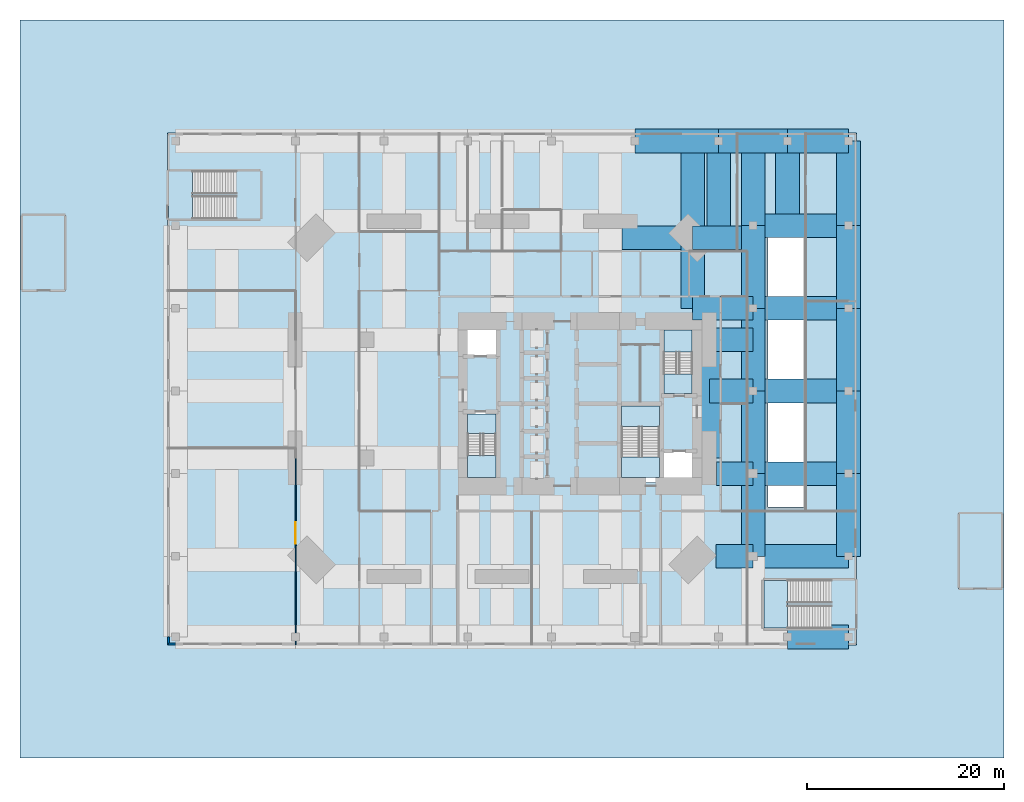
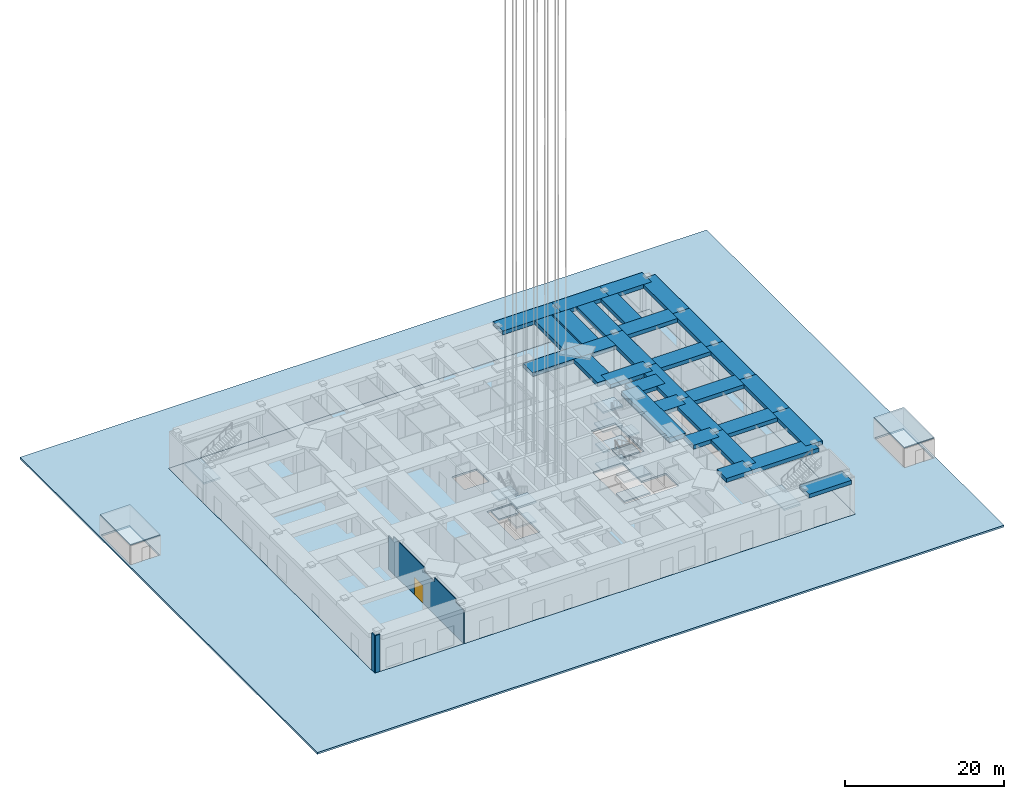
# One storey, part 2 of 17: 31 beams, 18 slabs, 3 walls, 1 door, 1 opening, 5 elements without a shape of their own.
"""IFC4 building model written with IfcOpenShell, lengths in metres."""

import ifcopenshell
import ifcopenshell.guid

model = None  # the IFC model being written
_history = None  # IfcOwnerHistory: only IFC2X3 demands one
_inside = {}  # id of a spatial element -> (the spatial element, [elements in it])
_under = {}  # id of a project, library or spatial element -> (it, [spatial elements below it])
_declared = {}  # id of a project -> (the project, [libraries it declares])
_typed = {}  # id of a type object -> (the type object, [elements of that type])
_made_of = {}  # id of a material, layer set ... -> (it, [elements and type objects made of it])


def new_model(schema):
    """Start an empty IFC model of exactly this schema.

    Asked for "IFC4X3", IfcOpenShell would pick the latest addendum, in which some entities
    have other attributes; the version numbers below select the first issue.
    IFC2X3 requires an IfcOwnerHistory on every rooted entity: one is made here for all.
    """
    global model, _history
    if schema == "IFC4X3":
        model = ifcopenshell.file(schema_version=(4, 3, 0, 0))
    else:
        model = ifcopenshell.file(schema=schema)
    _inside.clear()
    _under.clear()
    _declared.clear()
    _typed.clear()
    _made_of.clear()
    _history = None
    if model.schema == "IFC2X3":
        org = make("IfcOrganization", Name="unknown")
        user = make(
            "IfcPersonAndOrganization",
            ThePerson=make("IfcPerson", FamilyName="unknown"),
            TheOrganization=org,
        )
        app = make(
            "IfcApplication",
            ApplicationDeveloper=org,
            Version="unknown",
            ApplicationFullName="unknown",
            ApplicationIdentifier="unknown",
        )
        _history = make(
            "IfcOwnerHistory",
            OwningUser=user,
            OwningApplication=app,
            ChangeAction="ADDED",
            CreationDate=0,
        )
    return model


def make(cls, **values):
    """One entity of the class cls with the attributes given. An attribute that is None is left unset."""
    return model.create_entity(
        cls, **{name: value for name, value in values.items() if value is not None}
    )


def rooted(cls, **values):
    """An entity with a GlobalId (a new one), such as an element, a storey or a relation."""
    return make(cls, GlobalId=ifcopenshell.guid.new(), OwnerHistory=_history, **values)


def si_unit(unit_type, name, prefix=None):
    """IfcSIUnit, for example si_unit("LENGTHUNIT", "METRE", prefix="MILLI")."""
    return make("IfcSIUnit", UnitType=unit_type, Prefix=prefix, Name=name)


def assignment(units):
    """IfcUnitAssignment: the units of a project."""
    return None if units is None else make("IfcUnitAssignment", Units=units)


def point(xyz):
    """IfcCartesianPoint."""
    return None if xyz is None else make("IfcCartesianPoint", Coordinates=xyz)


def direction(xyz):
    """IfcDirection."""
    return None if xyz is None else make("IfcDirection", DirectionRatios=xyz)


def frame(location, z_axis=None, x_axis=None):
    """IfcAxis2Placement3D, a coordinate frame: its origin and axes. An axis left out is left unset."""
    return make(
        "IfcAxis2Placement3D",
        Location=point(location),
        Axis=direction(z_axis),
        RefDirection=direction(x_axis),
    )


def frame_2d(location, x_axis=None):
    """IfcAxis2Placement2D, a coordinate frame in the plane: its origin and x axis."""
    return make(
        "IfcAxis2Placement2D", Location=point(location), RefDirection=direction(x_axis)
    )


def origin():
    """The frame at (0, 0, 0) with its axes left unset."""
    return frame((0.0, 0.0, 0.0))


def origin_2d():
    """The frame at (0, 0) in the plane with its x axis left unset."""
    return frame_2d((0.0, 0.0))


def place(relative_to, where):
    """IfcLocalPlacement: puts the frame where relative to a parent placement (None: the world)."""
    return make(
        "IfcLocalPlacement", PlacementRelTo=relative_to, RelativePlacement=where
    )


def context(
    kind, dimensions, precision=None, world=None, true_north=None, identifier=None
):
    """IfcGeometricRepresentationContext, for example the 3D "Model" context."""
    return make(
        "IfcGeometricRepresentationContext",
        ContextIdentifier=identifier,
        ContextType=kind,
        CoordinateSpaceDimension=dimensions,
        Precision=precision,
        WorldCoordinateSystem=world,
        TrueNorth=true_north,
    )


def subcontext(parent, identifier, kind, view, scale=None):
    """IfcGeometricRepresentationSubContext, for example "Body" below "Model"."""
    return make(
        "IfcGeometricRepresentationSubContext",
        ContextIdentifier=identifier,
        ContextType=kind,
        ParentContext=parent,
        TargetScale=scale,
        TargetView=view,
    )


def project(units=None, contexts=None):
    """IfcProject with its units and contexts."""
    return rooted(
        "IfcProject",
        Name="project",
        RepresentationContexts=contexts,
        UnitsInContext=assignment(units),
    )


def spatial(cls, under=None, at=None, **own):
    """A site, building, storey or space (cls), placed at a placement, below another one or the project."""
    s = rooted(cls, ObjectPlacement=at, **own)
    if under is not None:
        _under.setdefault(under.id(), (under, []))[1].append(s)
    return s


def polyline(points):
    """IfcPolyline through the points."""
    return make("IfcPolyline", Points=[point(p) for p in points])


def profile(cls, at=None, kind="AREA", **sizes):
    """A parametric profile (cls). Its sizes go by their IFC names, for example OverallWidth=200.0."""
    return make(cls, ProfileType=kind, Position=at, **sizes)


def rectangle(**sizes):
    """IfcRectangleProfileDef."""
    return profile("IfcRectangleProfileDef", **sizes)


def outline(outer, holes=None, kind="AREA"):
    """IfcArbitraryClosedProfileDef: a profile drawn as a closed curve; with holes, ...WithVoids."""
    if holes is None:
        return make("IfcArbitraryClosedProfileDef", ProfileType=kind, OuterCurve=outer)
    return make(
        "IfcArbitraryProfileDefWithVoids",
        ProfileType=kind,
        OuterCurve=outer,
        InnerCurves=holes,
    )


def extrude(swept, where, along, depth):
    """IfcExtrudedAreaSolid: the profile swept, set in the frame where, extruded along a direction by depth."""
    return make(
        "IfcExtrudedAreaSolid",
        SweptArea=swept,
        Position=where,
        ExtrudedDirection=direction(along),
        Depth=depth,
    )


def shape(context_of_items, identifier, shape_type, items):
    """IfcShapeRepresentation: the items that make up one representation, for example the "Body"."""
    return make(
        "IfcShapeRepresentation",
        ContextOfItems=context_of_items,
        RepresentationIdentifier=identifier,
        RepresentationType=shape_type,
        Items=items,
    )


def material(Name=None, Category=None):
    """IfcMaterial."""
    return make("IfcMaterial", Name=Name, Category=Category)


def layer(
    of_material, thickness, ventilated=None, Name=None, Category=None, Priority=None
):
    """IfcMaterialLayer: one layer of a wall or slab, of a material (None: an air gap)."""
    return make(
        "IfcMaterialLayer",
        Material=of_material,
        LayerThickness=thickness,
        IsVentilated=ventilated,
        Name=Name,
        Category=Category,
        Priority=Priority,
    )


def layer_set(layers, Name=None):
    """IfcMaterialLayerSet."""
    return make("IfcMaterialLayerSet", MaterialLayers=layers, LayerSetName=Name)


def constituent(of_material, Name=None, Category=None, fraction=None):
    """IfcMaterialConstituent: one of the materials an element consists of."""
    return make(
        "IfcMaterialConstituent",
        Name=Name,
        Material=of_material,
        Fraction=fraction,
        Category=Category,
    )


def constituent_set(constituents=None, Name=None):
    """IfcMaterialConstituentSet."""
    return make(
        "IfcMaterialConstituentSet", Name=Name, MaterialConstituents=constituents
    )


def material_profile(
    of_material, cross_section, Name=None, Category=None, Priority=None
):
    """IfcMaterialProfile: a cross section and its material."""
    return make(
        "IfcMaterialProfile",
        Name=Name,
        Material=of_material,
        Profile=cross_section,
        Priority=Priority,
        Category=Category,
    )


def profile_set(profiles, Name=None, composite=None):
    """IfcMaterialProfileSet."""
    return make(
        "IfcMaterialProfileSet",
        Name=Name,
        MaterialProfiles=profiles,
        CompositeProfile=composite,
    )


def made_of(thing, what):
    """Note that an element or type object is made of a material, layer set ...; save() writes the relation."""
    if what is not None:
        _made_of.setdefault(what.id(), (what, []))[1].append(thing)
    return thing


def type_object(cls, material=None, **own):
    """A type object (cls), such as IfcWallType, which elements share."""
    return made_of(rooted(cls, **own), material)


def element(
    cls,
    number,
    at=None,
    inside=None,
    cuts=None,
    type_object=None,
    material=None,
    context=None,
    identifier="Body",
    shape_type=None,
    held_by="IfcProductDefinitionShape",
    body=None,
    shapes=None,
    **own,
):
    """One element of the class cls, such as IfcWall. Its Tag is "e" and its number.

    at: its placement. inside: the storey or other place that contains it. cuts: it is an
    opening in that element (IfcRelVoidsElement). A single representation is given by context,
    identifier, shape_type and body (its items); several are given by shapes. held_by: the class
    of the entity that holds the representations. save() writes the other relations.
    """
    e = rooted(cls, Tag="e%d" % number, ObjectPlacement=at, **own)
    if body is not None:
        shapes = [shape(context, identifier, shape_type, body)]
    if shapes is not None:
        e.Representation = make(held_by, Representations=shapes)
    if inside is not None:
        _inside.setdefault(inside.id(), (inside, []))[1].append(e)
    if cuts is not None:
        rooted(
            "IfcRelVoidsElement", RelatingBuildingElement=cuts, RelatedOpeningElement=e
        )
    if type_object is not None:
        _typed.setdefault(type_object.id(), (type_object, []))[1].append(e)
    return made_of(e, material)


def fill(opening, filler):
    """IfcRelFillsElement: the door or window that sits in an opening."""
    return rooted(
        "IfcRelFillsElement",
        RelatingOpeningElement=opening,
        RelatedBuildingElement=filler,
    )


def aggregate(whole, parts):
    """IfcRelAggregates: a whole, such as a stair, and the parts it consists of."""
    return rooted("IfcRelAggregates", RelatingObject=whole, RelatedObjects=parts)


def save(model, path):
    """Write the relations noted so far, then the file.

    IfcRelAggregates (storeys below a building ...), IfcRelContainedInSpatialStructure (elements
    in a storey), IfcRelDefinesByType, IfcRelAssociatesMaterial and IfcRelDeclares: one each for
    every whole, place, type object, material and project.
    """
    for whole, parts in _under.values():
        aggregate(whole, parts)
    for where, things in _inside.values():
        rooted(
            "IfcRelContainedInSpatialStructure",
            RelatedElements=things,
            RelatingStructure=where,
        )
    for kind, things in _typed.values():
        rooted("IfcRelDefinesByType", RelatedObjects=things, RelatingType=kind)
    for what, things in _made_of.values():
        rooted("IfcRelAssociatesMaterial", RelatedObjects=things, RelatingMaterial=what)
    for by, libraries in _declared.values():
        rooted("IfcRelDeclares", RelatingContext=by, RelatedDefinitions=libraries)
    model.write(path)


model = new_model("IFC4")

# Units and contexts
model_context = context("Model", 3, precision=1e-05, world=origin(), true_north=direction((0.0, 1.0)))
body_context = subcontext(model_context, "Body", "Model", "MODEL_VIEW")
ifc_project = project(units=[si_unit("LENGTHUNIT", "METRE"), si_unit("AREAUNIT", "SQUARE_METRE"), si_unit("VOLUMEUNIT", "CUBIC_METRE"), si_unit("PLANEANGLEUNIT", "RADIAN"), si_unit("MASSUNIT", "GRAM", prefix="KILO")], contexts=[model_context])

# Site, building, storey
site_placement = place(None, origin())
site = spatial("IfcSite", under=ifc_project, at=site_placement, CompositionType="ELEMENT")
building_placement = place(site_placement, origin())
building = spatial("IfcBuilding", under=site, at=building_placement, Name="Jalousie Tower", CompositionType="ELEMENT")
storey_placement = place(building_placement, origin())
storey = spatial("IfcBuildingStorey", under=building, at=storey_placement, Name="L00", CompositionType="ELEMENT", Elevation=0.0)

# Beams
ifc_material_1 = material(Name="Concrete f'c 40 MPa", Category="concrete")
ifc_material_profile_1 = material_profile(ifc_material_1, rectangle(XDim=2.39990234375, YDim=0.60009765625, at=origin_2d()), Name="RC 2400x600")
ifc_profile_set_1 = profile_set([ifc_material_profile_1], Name="Concrete f'c 40 MPa")
beam_type_1 = type_object("IfcBeamType", Name="RC BEAM 2400x600", PredefinedType="BEAM", material=ifc_profile_set_1)
beam_1_placement = place(storey_placement, frame((37.5, 45.199951171875, 5.419921875), z_axis=(1.0, 0.0, 0.0), x_axis=(0.0, 1.0, 0.0)))
element("IfcBeam", 1, at=beam_1_placement, inside=storey, type_object=beam_type_1, Name="Floor band beam under L01", PredefinedType="BEAM", context=body_context, shape_type="SweptSolid", body=[
    extrude(rectangle(XDim=2.39990234375, YDim=0.60009765625, at=origin_2d()), origin(), (0.0, 0.0, 1.0), 8.5),
])
beam_2_placement = place(storey_placement, frame((43.36865234375, 35.36865234375, 5.419921875), z_axis=(0.0, -1.0, 0.0), x_axis=(1.0, 0.0, 0.0)))
element("IfcBeam", 2, at=beam_2_placement, inside=storey, type_object=beam_type_1, Name="Floor band beam under L01", PredefinedType="BEAM", context=body_context, shape_type="SweptSolid", body=[
    extrude(rectangle(XDim=2.39990234375, YDim=0.60009765625, at=origin_2d()), origin(), (0.0, 0.0, 1.0), 7.168701171875),
])
beam_3_placement = place(storey_placement, frame((46.0, 45.199951171875, 5.419921875), z_axis=(1.0, 0.0, 0.0), x_axis=(0.0, 1.0, 0.0)))
element("IfcBeam", 3, at=beam_3_placement, inside=storey, type_object=beam_type_1, Name="Floor band beam under L01", PredefinedType="BEAM", context=body_context, shape_type="SweptSolid", body=[
    extrude(rectangle(XDim=2.39990234375, YDim=0.60009765625, at=origin_2d()), origin(), (0.0, 0.0, 1.0), 7.0),
])
beam_4_placement = place(storey_placement, frame((49.5, 3.0, 5.419921875), z_axis=(1.0, 0.0, 0.0), x_axis=(0.0, 1.0, 0.0)))
element("IfcBeam", 4, at=beam_4_placement, inside=storey, type_object=beam_type_1, Name="Floor band beam under L01", PredefinedType="BEAM", context=body_context, shape_type="SweptSolid", body=[
    extrude(rectangle(XDim=2.39990234375, YDim=0.60009765625, at=origin_2d()), origin(), (0.0, 0.0, 1.0), 9.699951171875),
])
beam_5_placement = place(storey_placement, frame((49.5, 3.0, 5.419921875), z_axis=(0.0, 1.0, 0.0), x_axis=(-1.0, 0.0, 0.0)))
element("IfcBeam", 5, at=beam_5_placement, inside=storey, type_object=beam_type_1, Name="Floor band beam under L01", PredefinedType="BEAM", context=body_context, shape_type="SweptSolid", body=[
    extrude(rectangle(XDim=2.39990234375, YDim=0.60009765625, at=origin_2d()), origin(), (0.0, 0.0, 1.0), 8.39990234375),
])
beam_6_placement = place(storey_placement, frame((49.5, 11.39990234375, 5.419921875), z_axis=(1.0, 0.0, 0.0), x_axis=(0.0, 1.0, 0.0)))
element("IfcBeam", 6, at=beam_6_placement, inside=storey, type_object=beam_type_1, Name="Floor band beam under L01", PredefinedType="BEAM", context=body_context, shape_type="SweptSolid", body=[
    extrude(rectangle(XDim=2.39990234375, YDim=0.60009765625, at=origin_2d()), origin(), (0.0, 0.0, 1.0), 9.699951171875),
])
beam_7_placement = place(storey_placement, frame((49.5, 11.39990234375, 5.419921875), z_axis=(-1.0, 0.0, 0.0), x_axis=(0.0, -1.0, 0.0)))
element("IfcBeam", 7, at=beam_7_placement, inside=storey, type_object=beam_type_1, Name="Floor band beam under L01", PredefinedType="BEAM", context=body_context, shape_type="SweptSolid", body=[
    extrude(rectangle(XDim=2.39990234375, YDim=0.60009765625, at=origin_2d()), origin(), (0.0, 0.0, 1.0), 3.72509765625),
])
beam_8_placement = place(storey_placement, frame((49.5, 11.39990234375, 5.419921875), z_axis=(0.0, 1.0, 0.0), x_axis=(-1.0, 0.0, 0.0)))
element("IfcBeam", 8, at=beam_8_placement, inside=storey, type_object=beam_type_1, Name="Floor band beam under L01", PredefinedType="BEAM", context=body_context, shape_type="SweptSolid", body=[
    extrude(rectangle(XDim=2.39990234375, YDim=0.60009765625, at=origin_2d()), origin(), (0.0, 0.0, 1.0), 8.400146484375),
])
beam_9_placement = place(storey_placement, frame((49.5, 19.800048828125, 5.419921875), z_axis=(1.0, 0.0, 0.0), x_axis=(0.0, 1.0, 0.0)))
element("IfcBeam", 9, at=beam_9_placement, inside=storey, type_object=beam_type_1, Name="Floor band beam under L01", PredefinedType="BEAM", context=body_context, shape_type="SweptSolid", body=[
    extrude(rectangle(XDim=2.39990234375, YDim=0.60009765625, at=origin_2d()), origin(), (0.0, 0.0, 1.0), 9.699951171875),
])
beam_10_placement = place(storey_placement, frame((49.5, 19.800048828125, 5.419921875), z_axis=(-1.0, 0.0, 0.0), x_axis=(0.0, -1.0, 0.0)))
element("IfcBeam", 10, at=beam_10_placement, inside=storey, type_object=beam_type_1, Name="Floor band beam under L01", PredefinedType="BEAM", context=body_context, shape_type="SweptSolid", body=[
    extrude(rectangle(XDim=2.39990234375, YDim=0.60009765625, at=origin_2d()), origin(), (0.0, 0.0, 1.0), 4.449951171875),
])
beam_11_placement = place(storey_placement, frame((49.5, 19.800048828125, 5.419921875), z_axis=(0.0, 1.0, 0.0), x_axis=(-1.0, 0.0, 0.0)))
element("IfcBeam", 11, at=beam_11_placement, inside=storey, type_object=beam_type_1, Name="Floor band beam under L01", PredefinedType="BEAM", context=body_context, shape_type="SweptSolid", body=[
    extrude(rectangle(XDim=2.39990234375, YDim=0.60009765625, at=origin_2d()), origin(), (0.0, 0.0, 1.0), 8.39990234375),
])
beam_12_placement = place(storey_placement, frame((49.5, 28.199951171875, 5.419921875), z_axis=(1.0, 0.0, 0.0), x_axis=(0.0, 1.0, 0.0)))
element("IfcBeam", 12, at=beam_12_placement, inside=storey, type_object=beam_type_1, Name="Floor band beam under L01", PredefinedType="BEAM", context=body_context, shape_type="SweptSolid", body=[
    extrude(rectangle(XDim=2.39990234375, YDim=0.60009765625, at=origin_2d()), origin(), (0.0, 0.0, 1.0), 9.699951171875),
])
beam_13_placement = place(storey_placement, frame((49.5, 28.199951171875, 5.419921875), z_axis=(0.0, 1.0, 0.0), x_axis=(-1.0, 0.0, 0.0)))
element("IfcBeam", 13, at=beam_13_placement, inside=storey, type_object=beam_type_1, Name="Floor band beam under L01", PredefinedType="BEAM", context=body_context, shape_type="SweptSolid", body=[
    extrude(rectangle(XDim=2.39990234375, YDim=0.60009765625, at=origin_2d()), origin(), (0.0, 0.0, 1.0), 8.400146484375),
])
beam_14_placement = place(storey_placement, frame((49.5, 36.60009765625, 5.419921875), z_axis=(1.0, 0.0, 0.0), x_axis=(0.0, 1.0, 0.0)))
element("IfcBeam", 14, at=beam_14_placement, inside=storey, type_object=beam_type_1, Name="Floor band beam under L01", PredefinedType="BEAM", context=body_context, shape_type="SweptSolid", body=[
    extrude(rectangle(XDim=2.39990234375, YDim=0.60009765625, at=origin_2d()), origin(), (0.0, 0.0, 1.0), 9.699951171875),
])
for number, where, z_axis, x_axis, name in (
    (15, (53.0, -5.199951171875, 5.419921875), (1.0, 0.0, 0.0), (0.0, 1.0, 0.0), "Floor band beam under L01"),
    (16, (53.0, 45.199951171875, 5.419921875), (1.0, 0.0, 0.0), (0.0, 1.0, 0.0), "Floor band beam under L01"),
):
    element("IfcBeam", number, at=place(storey_placement, frame(where, z_axis=z_axis, x_axis=x_axis)), inside=storey, type_object=beam_type_1, Name=name, PredefinedType="BEAM", context=body_context, shape_type="SweptSolid", body=[
        extrude(rectangle(XDim=2.39990234375, YDim=0.60009765625, at=origin_2d()), origin(), (0.0, 0.0, 1.0), 6.199951171875),
    ])
beam_15_placement = place(storey_placement, frame((59.199951171875, 3.0, 5.419921875), z_axis=(0.0, 1.0, 0.0), x_axis=(-1.0, 0.0, 0.0)))
element("IfcBeam", 17, at=beam_15_placement, inside=storey, type_object=beam_type_1, Name="Floor band beam under L01", PredefinedType="BEAM", context=body_context, shape_type="SweptSolid", body=[
    extrude(rectangle(XDim=2.39990234375, YDim=0.60009765625, at=origin_2d()), origin(), (0.0, 0.0, 1.0), 8.39990234375),
])
beam_16_placement = place(storey_placement, frame((59.199951171875, 11.39990234375, 5.419921875), z_axis=(0.0, 1.0, 0.0), x_axis=(-1.0, 0.0, 0.0)))
element("IfcBeam", 18, at=beam_16_placement, inside=storey, type_object=beam_type_1, Name="Floor band beam under L01", PredefinedType="BEAM", context=body_context, shape_type="SweptSolid", body=[
    extrude(rectangle(XDim=2.39990234375, YDim=0.60009765625, at=origin_2d()), origin(), (0.0, 0.0, 1.0), 8.400146484375),
])
beam_17_placement = place(storey_placement, frame((59.199951171875, 19.800048828125, 5.419921875), z_axis=(0.0, 1.0, 0.0), x_axis=(-1.0, 0.0, 0.0)))
element("IfcBeam", 19, at=beam_17_placement, inside=storey, type_object=beam_type_1, Name="Floor band beam under L01", PredefinedType="BEAM", context=body_context, shape_type="SweptSolid", body=[
    extrude(rectangle(XDim=2.39990234375, YDim=0.60009765625, at=origin_2d()), origin(), (0.0, 0.0, 1.0), 8.39990234375),
])
beam_18_placement = place(storey_placement, frame((59.199951171875, 28.199951171875, 5.419921875), z_axis=(0.0, 1.0, 0.0), x_axis=(-1.0, 0.0, 0.0)))
element("IfcBeam", 20, at=beam_18_placement, inside=storey, type_object=beam_type_1, Name="Floor band beam under L01", PredefinedType="BEAM", context=body_context, shape_type="SweptSolid", body=[
    extrude(rectangle(XDim=2.39990234375, YDim=0.60009765625, at=origin_2d()), origin(), (0.0, 0.0, 1.0), 8.400146484375),
])
beam_19_placement = place(storey_placement, frame((59.199951171875, 36.60009765625, 5.419921875), z_axis=(0.0, 1.0, 0.0), x_axis=(-1.0, 0.0, 0.0)))
element("IfcBeam", 21, at=beam_19_placement, inside=storey, type_object=beam_type_1, Name="Floor band beam under L01", PredefinedType="BEAM", context=body_context, shape_type="SweptSolid", body=[
    extrude(rectangle(XDim=2.39990234375, YDim=0.60009765625, at=origin_2d()), origin(), (0.0, 0.0, 1.0), 8.599853515625),
])
beam_20_placement = place(storey_placement, frame((43.36865234375, 35.36865234375, 5.419921875), z_axis=(1.0, 0.0, 0.0), x_axis=(0.0, 1.0, 0.0)))
element("IfcBeam", 22, at=beam_20_placement, inside=storey, type_object=beam_type_1, Name="Floor band beam under L01", PredefinedType="BEAM", context=body_context, shape_type="SweptSolid", body=[
    extrude(rectangle(XDim=2.39990234375, YDim=0.60009765625, at=origin_2d()), origin(), (0.0, 0.0, 1.0), 4.931396484375),
])
beam_21_placement = place(storey_placement, frame((43.36865234375, 35.36865234375, 5.419921875), z_axis=(-1.0, 0.0, 0.0), x_axis=(0.0, -1.0, 0.0)))
element("IfcBeam", 23, at=beam_21_placement, inside=storey, type_object=beam_type_1, Name="Floor band beam under L01", PredefinedType="BEAM", context=body_context, shape_type="SweptSolid", body=[
    extrude(rectangle(XDim=2.39990234375, YDim=0.60009765625, at=origin_2d()), origin(), (0.0, 0.0, 1.0), 7.168701171875),
])
beam_22_placement = place(storey_placement, frame((43.36865234375, 35.36865234375, 5.419921875), z_axis=(0.0, 1.0, 0.0), x_axis=(-1.0, 0.0, 0.0)))
element("IfcBeam", 24, at=beam_22_placement, inside=storey, type_object=beam_type_1, Name="Floor band beam under L01", PredefinedType="BEAM", context=body_context, shape_type="SweptSolid", body=[
    extrude(rectangle(XDim=2.39990234375, YDim=0.60009765625, at=origin_2d()), origin(), (0.0, 0.0, 1.0), 8.63134765625),
])
beam_23_placement = place(storey_placement, frame((45.050048828125, 25.0, 5.419921875), z_axis=(1.0, 0.0, 0.0), x_axis=(0.0, 1.0, 0.0)))
element("IfcBeam", 25, at=beam_23_placement, inside=storey, type_object=beam_type_1, Name="Floor band beam under L01", PredefinedType="BEAM", context=body_context, shape_type="SweptSolid", body=[
    extrude(rectangle(XDim=2.39990234375, YDim=0.60009765625, at=origin_2d()), origin(), (0.0, 0.0, 1.0), 4.449951171875),
])
beam_24_placement = place(storey_placement, frame((46.0, 45.199951171875, 5.419921875), z_axis=(0.0, -1.0, 0.0), x_axis=(1.0, 0.0, 0.0)))
element("IfcBeam", 26, at=beam_24_placement, inside=storey, type_object=beam_type_1, Name="Floor band beam under L01", PredefinedType="BEAM", context=body_context, shape_type="SweptSolid", body=[
    extrude(rectangle(XDim=2.39990234375, YDim=0.60009765625, at=origin_2d()), origin(), (0.0, 0.0, 1.0), 8.63134765625),
])
beam_25_placement = place(storey_placement, frame((49.5, 3.0, 5.419921875), z_axis=(-1.0, 0.0, 0.0), x_axis=(0.0, -1.0, 0.0)))
element("IfcBeam", 27, at=beam_25_placement, inside=storey, type_object=beam_type_1, Name="Floor band beam under L01", PredefinedType="BEAM", context=body_context, shape_type="SweptSolid", body=[
    extrude(rectangle(XDim=2.39990234375, YDim=0.60009765625, at=origin_2d()), origin(), (0.0, 0.0, 1.0), 3.782958984375),
])
beam_26_placement = place(storey_placement, frame((49.5, 28.199951171875, 5.419921875), z_axis=(-1.0, 0.0, 0.0), x_axis=(0.0, -1.0, 0.0)))
element("IfcBeam", 28, at=beam_26_placement, inside=storey, type_object=beam_type_1, Name="Floor band beam under L01", PredefinedType="BEAM", context=body_context, shape_type="SweptSolid", body=[
    extrude(rectangle(XDim=2.39990234375, YDim=0.60009765625, at=origin_2d()), origin(), (0.0, 0.0, 1.0), 6.13134765625),
])
for number, where, z_axis, x_axis, name in (
    (29, (49.5, 36.60009765625, 5.419921875), (0.0, 1.0, 0.0), (-1.0, 0.0, 0.0), "Floor band beam under L01"),
    (30, (53.0, 45.199951171875, 5.419921875), (0.0, -1.0, 0.0), (1.0, 0.0, 0.0), "Floor band beam under L01"),
):
    element("IfcBeam", number, at=place(storey_placement, frame(where, z_axis=z_axis, x_axis=x_axis)), inside=storey, type_object=beam_type_1, Name=name, PredefinedType="BEAM", context=body_context, shape_type="SweptSolid", body=[
        extrude(rectangle(XDim=2.39990234375, YDim=0.60009765625, at=origin_2d()), origin(), (0.0, 0.0, 1.0), 7.39990234375),
    ])
ifc_material_2 = material(Name="Concrete f'c 40 MPa", Category="concrete")
ifc_material_profile_2 = material_profile(ifc_material_2, rectangle(XDim=2.39990234375, YDim=0.699951171875, at=origin_2d()), Name="RC 2400x700")
ifc_profile_set_2 = profile_set([ifc_material_profile_2], Name="Concrete f'c 40 MPa")
beam_type_2 = type_object("IfcBeamType", Name="RC BEAM 2400x700", PredefinedType="BEAM", material=ifc_profile_set_2)
beam_27_placement = place(storey_placement, frame((45.050048828125, 13.0, 5.419921875), z_axis=(0.0, 1.0, 0.0), x_axis=(-1.0, 0.0, 0.0)))
element("IfcBeam", 31, at=beam_27_placement, inside=storey, type_object=beam_type_2, Name="Floor band beam under L01", PredefinedType="BEAM", context=body_context, shape_type="SweptSolid", body=[
    extrude(rectangle(XDim=2.39990234375, YDim=0.699951171875, at=origin_2d()), origin(), (0.0, 0.0, 1.0), 12.0),
])

# Slabs
ifc_material_3 = material(Name="Concrete f'c 40 MPa", Category="concrete")
ifc_layer_1 = layer(ifc_material_3, 0.280029296875)
ifc_layer_set_1 = layer_set([ifc_layer_1], Name="Concrete f'c 40 MPa")
slab_type_1 = type_object("IfcSlabType", Name="FLOOR SLAB 280", PredefinedType="FLOOR", material=ifc_layer_set_1)
slab_1_placement = place(storey_placement, frame((0.0, 0.0, -0.280029296875)))
element("IfcSlab", 32, at=slab_1_placement, inside=storey, type_object=slab_type_1, Name="L00 floor slab", PredefinedType="FLOOR", context=body_context, shape_type="SweptSolid", body=[
    extrude(outline(polyline([(-10.0, -6.0), (60.0, -6.0), (60.0, 46.0), (-10.0, 46.0), (-10.0, -6.0)]), holes=[polyline([(43.800048828125, 10.5), (35.89990234375, 10.5), (35.89990234375, 18.5), (40.199951171875, 18.5), (40.199951171875, 13.699951171875), (43.800048828125, 13.699951171875), (43.800048828125, 10.5)]), polyline([(20.0, 10.5), (23.60009765625, 10.5), (23.60009765625, 17.699951171875), (20.0, 17.699951171875), (20.0, 10.5)]), polyline([(51.0, 8.0), (54.60009765625, 8.0), (54.60009765625, 35.39990234375), (51.0, 35.39990234375), (51.0, 8.0)]), polyline([(40.199951171875, 19.300048828125), (43.800048828125, 19.300048828125), (43.800048828125, 26.5), (40.199951171875, 26.5), (40.199951171875, 19.300048828125)]), polyline([(20.0, 23.300048828125), (23.60009765625, 23.300048828125), (23.60009765625, 26.5), (20.0, 26.5), (20.0, 23.300048828125)])]), origin(), (0.0, 0.0, 1.0), 0.280029296875),
])
ifc_material_4 = material(Name="Concrete f'c 40 MPa", Category="concrete")
ifc_layer_2 = layer(ifc_material_4, 0.280029296875)
ifc_layer_set_2 = layer_set([ifc_layer_2], Name="Concrete f'c 40 MPa")
slab_type_2 = type_object("IfcSlabType", Name="PLAZA DECK SLAB 280", PredefinedType="ROOF", material=ifc_layer_set_2)
slab_2_placement = place(storey_placement, frame((0.0, 0.0, -0.280029296875)))
element("IfcSlab", 33, at=slab_2_placement, inside=storey, type_object=slab_type_2, Name="Plaza deck over the basement", PredefinedType="ROOF", context=body_context, shape_type="SweptSolid", body=[
    extrude(outline(polyline([(-25.0, -17.5), (75.0, -17.5), (75.0, 57.5), (-25.0, 57.5), (-25.0, -17.5)]), holes=[polyline([(-10.0, -6.0), (60.0, -6.0), (60.0, 46.0), (-10.0, 46.0), (-10.0, -6.0)]), polyline([(-24.699951171875, 30.10009765625), (-20.5, 30.10009765625), (-20.5, 37.60009765625), (-24.699951171875, 37.60009765625), (-24.699951171875, 30.10009765625)]), polyline([(70.5, -0.199951171875), (74.699951171875, -0.199951171875), (74.699951171875, 7.300048828125), (70.5, 7.300048828125), (70.5, -0.199951171875)])]), origin(), (0.0, 0.0, 1.0), 0.280029296875),
])
ifc_material_5 = material(Name="Concrete f'c 40 MPa", Category="concrete")
ifc_layer_3 = layer(ifc_material_5, 0.14990234375)
ifc_layer_set_3 = layer_set([ifc_layer_3], Name="Concrete f'c 40 MPa")
slab_type_3 = type_object("IfcSlabType", Name="STAIR HEAD HOUSE ROOF 150", PredefinedType="ROOF", material=ifc_layer_set_3)
slab_3_placement = place(storey_placement, frame((0.0, 0.0, 3.0)))
element("IfcSlab", 34, at=slab_3_placement, inside=storey, type_object=slab_type_3, Name="Stair BS1 head house roof", PredefinedType="ROOF", context=body_context, shape_type="SweptSolid", body=[
    extrude(outline(polyline([(-24.800048828125, 30.0), (-20.39990234375, 30.0), (-20.39990234375, 37.699951171875), (-24.800048828125, 37.699951171875), (-24.800048828125, 30.0)])), origin(), (0.0, 0.0, 1.0), 0.14990234375),
])
slab_4_placement = place(storey_placement, frame((0.0, 0.0, 3.0)))
element("IfcSlab", 35, at=slab_4_placement, inside=storey, type_object=slab_type_3, Name="Stair BS2 head house roof", PredefinedType="ROOF", context=body_context, shape_type="SweptSolid", body=[
    extrude(outline(polyline([(70.39990234375, -0.300048828125), (74.800048828125, -0.300048828125), (74.800048828125, 7.39990234375), (70.39990234375, 7.39990234375), (70.39990234375, -0.300048828125)])), origin(), (0.0, 0.0, 1.0), 0.14990234375),
])

# Stair, slabs
ifc_material_6 = material(Name="Concrete f'c 40 MPa", Category="concrete")
stair_type_1 = type_object("IfcStairType", Name="EXIT STAIR", PredefinedType="HALF_TURN_STAIR", material=ifc_material_6)
stair_1_placement = place(storey_placement, origin())
stair_1 = element("IfcStair", 36, at=stair_1_placement, inside=storey, type_object=stair_type_1, Name="Exit stair A L00", PredefinedType="HALF_TURN_STAIR")
ifc_material_7 = material(Name="Concrete f'c 40 MPa", Category="concrete")
ifc_layer_4 = layer(ifc_material_7, 0.25)
ifc_layer_set_4 = layer_set([ifc_layer_4], Name="Concrete f'c 40 MPa")
slab_type_4 = type_object("IfcSlabType", Name="STAIR LANDING 250", PredefinedType="LANDING", material=ifc_layer_set_4)
slab_5_placement = place(storey_placement, frame((0.0, 0.0, -0.25)))
slab_5 = element("IfcSlab", 37, at=slab_5_placement, type_object=slab_type_4, Name="ST-A landing 1", PredefinedType="LANDING", context=body_context, shape_type="SweptSolid", body=[
    extrude(outline(polyline([(20.5, 15.49755859375), (23.375, 15.49755859375), (23.375, 17.47509765625), (20.5, 17.47509765625), (20.5, 15.49755859375)])), origin(), (0.0, 0.0, 1.0), 0.25),
])
slab_6_placement = place(storey_placement, frame((0.0, 0.0, 1.25)))
slab_6 = element("IfcSlab", 38, at=slab_6_placement, type_object=slab_type_4, Name="ST-A landing 2", PredefinedType="LANDING", context=body_context, shape_type="SweptSolid", body=[
    extrude(outline(polyline([(20.5, 11.0), (23.375, 11.0), (23.375, 13.257568359375), (20.5, 13.257568359375), (20.5, 11.0)])), origin(), (0.0, 0.0, 1.0), 0.25),
])
slab_7_placement = place(storey_placement, frame((0.0, 0.0, 2.75)))
slab_7 = element("IfcSlab", 39, at=slab_7_placement, type_object=slab_type_4, Name="ST-A landing 3", PredefinedType="LANDING", context=body_context, shape_type="SweptSolid", body=[
    extrude(outline(polyline([(20.5, 15.49755859375), (23.375, 15.49755859375), (23.375, 17.47509765625), (20.5, 17.47509765625), (20.5, 15.49755859375)])), origin(), (0.0, 0.0, 1.0), 0.25),
])
slab_8_placement = place(storey_placement, frame((0.0, 0.0, 4.25)))
slab_8 = element("IfcSlab", 40, at=slab_8_placement, type_object=slab_type_4, Name="ST-A landing 4", PredefinedType="LANDING", context=body_context, shape_type="SweptSolid", body=[
    extrude(outline(polyline([(20.5, 11.0), (23.375, 11.0), (23.375, 13.257568359375), (20.5, 13.257568359375), (20.5, 11.0)])), origin(), (0.0, 0.0, 1.0), 0.25),
])
aggregate(stair_1, [slab_5, slab_6, slab_7, slab_8])

stair_2_placement = place(storey_placement, origin())
stair_2 = element("IfcStair", 41, at=stair_2_placement, inside=storey, type_object=stair_type_1, Name="Exit stair B L00", PredefinedType="HALF_TURN_STAIR")
slab_9_placement = place(storey_placement, frame((0.0, 0.0, -0.25)))
slab_9 = element("IfcSlab", 42, at=slab_9_placement, type_object=slab_type_4, Name="ST-B landing 1", PredefinedType="LANDING", context=body_context, shape_type="SweptSolid", body=[
    extrude(outline(polyline([(40.425048828125, 19.52490234375), (43.300048828125, 19.52490234375), (43.300048828125, 21.50244140625), (40.425048828125, 21.50244140625), (40.425048828125, 19.52490234375)])), origin(), (0.0, 0.0, 1.0), 0.25),
])
slab_10_placement = place(storey_placement, frame((0.0, 0.0, 1.25)))
slab_10 = element("IfcSlab", 43, at=slab_10_placement, type_object=slab_type_4, Name="ST-B landing 2", PredefinedType="LANDING", context=body_context, shape_type="SweptSolid", body=[
    extrude(outline(polyline([(40.425048828125, 23.742431640625), (43.300048828125, 23.742431640625), (43.300048828125, 26.0), (40.425048828125, 26.0), (40.425048828125, 23.742431640625)])), origin(), (0.0, 0.0, 1.0), 0.25),
])
slab_11_placement = place(storey_placement, frame((0.0, 0.0, 2.75)))
slab_11 = element("IfcSlab", 44, at=slab_11_placement, type_object=slab_type_4, Name="ST-B landing 3", PredefinedType="LANDING", context=body_context, shape_type="SweptSolid", body=[
    extrude(outline(polyline([(40.425048828125, 19.52490234375), (43.300048828125, 19.52490234375), (43.300048828125, 21.50244140625), (40.425048828125, 21.50244140625), (40.425048828125, 19.52490234375)])), origin(), (0.0, 0.0, 1.0), 0.25),
])
slab_12_placement = place(storey_placement, frame((0.0, 0.0, 4.25)))
slab_12 = element("IfcSlab", 45, at=slab_12_placement, type_object=slab_type_4, Name="ST-B landing 4", PredefinedType="LANDING", context=body_context, shape_type="SweptSolid", body=[
    extrude(outline(polyline([(40.425048828125, 23.742431640625), (43.300048828125, 23.742431640625), (43.300048828125, 26.0), (40.425048828125, 26.0), (40.425048828125, 23.742431640625)])), origin(), (0.0, 0.0, 1.0), 0.25),
])
aggregate(stair_2, [slab_9, slab_10, slab_11, slab_12])

stair_3_placement = place(storey_placement, origin())
stair_3 = element("IfcStair", 46, at=stair_3_placement, inside=storey, type_object=stair_type_1, Name="Exit stair C L00", PredefinedType="HALF_TURN_STAIR")
slab_13_placement = place(storey_placement, frame((0.0, 0.0, -0.25)))
slab_13 = element("IfcSlab", 47, at=slab_13_placement, type_object=slab_type_4, Name="ST-C landing 1", PredefinedType="LANDING", context=body_context, shape_type="SweptSolid", body=[
    extrude(outline(polyline([(36.125, 11.0), (39.97509765625, 11.0), (39.97509765625, 13.097412109375), (36.125, 13.097412109375), (36.125, 11.0)])), origin(), (0.0, 0.0, 1.0), 0.25),
])
slab_14_placement = place(storey_placement, frame((0.0, 0.0, 1.25)))
slab_14 = element("IfcSlab", 48, at=slab_14_placement, type_object=slab_type_4, Name="ST-C landing 2", PredefinedType="LANDING", context=body_context, shape_type="SweptSolid", body=[
    extrude(outline(polyline([(36.125, 16.177490234375), (39.97509765625, 16.177490234375), (39.97509765625, 18.27490234375), (36.125, 18.27490234375), (36.125, 16.177490234375)])), origin(), (0.0, 0.0, 1.0), 0.25),
])
slab_15_placement = place(storey_placement, frame((0.0, 0.0, 2.75)))
slab_15 = element("IfcSlab", 49, at=slab_15_placement, type_object=slab_type_4, Name="ST-C landing 3", PredefinedType="LANDING", context=body_context, shape_type="SweptSolid", body=[
    extrude(outline(polyline([(36.125, 11.0), (39.97509765625, 11.0), (39.97509765625, 13.097412109375), (36.125, 13.097412109375), (36.125, 11.0)])), origin(), (0.0, 0.0, 1.0), 0.25),
])
slab_16_placement = place(storey_placement, frame((0.0, 0.0, 4.25)))
slab_16 = element("IfcSlab", 50, at=slab_16_placement, type_object=slab_type_4, Name="ST-C landing 4", PredefinedType="LANDING", context=body_context, shape_type="SweptSolid", body=[
    extrude(outline(polyline([(36.125, 16.177490234375), (39.97509765625, 16.177490234375), (39.97509765625, 18.27490234375), (36.125, 18.27490234375), (36.125, 16.177490234375)])), origin(), (0.0, 0.0, 1.0), 0.25),
])
aggregate(stair_3, [slab_13, slab_14, slab_15, slab_16])

# Stair, slab
ifc_material_8 = material(Name="Concrete f'c 40 MPa", Category="concrete")
stair_type_2 = type_object("IfcStairType", Name="WIDE EXIT STAIR", PredefinedType="HALF_TURN_STAIR", material=ifc_material_8)
stair_4_placement = place(storey_placement, origin())
stair_4 = element("IfcStair", 51, at=stair_4_placement, inside=storey, type_object=stair_type_2, Name="Exit stair PS1 L00", PredefinedType="HALF_TURN_STAIR")
slab_17_placement = place(storey_placement, frame((0.0, 0.0, 2.75)))
slab_17 = element("IfcSlab", 52, at=slab_17_placement, type_object=slab_type_4, Name="PS1 landing 1", PredefinedType="LANDING", context=body_context, shape_type="SweptSolid", body=[
    extrude(outline(polyline([(-7.489990234375, 42.14990234375), (-9.89990234375, 42.14990234375), (-9.89990234375, 37.300048828125), (-7.489990234375, 37.300048828125), (-7.489990234375, 42.14990234375)])), origin(), (0.0, 0.0, 1.0), 0.25),
])
aggregate(stair_4, [slab_17])

stair_5_placement = place(storey_placement, origin())
stair_5 = element("IfcStair", 53, at=stair_5_placement, inside=storey, type_object=stair_type_2, Name="Exit stair PS2 L00", PredefinedType="HALF_TURN_STAIR")
slab_18_placement = place(storey_placement, frame((0.0, 0.0, 2.75)))
slab_18 = element("IfcSlab", 54, at=slab_18_placement, type_object=slab_type_4, Name="PS2 landing 1", PredefinedType="LANDING", context=body_context, shape_type="SweptSolid", body=[
    extrude(outline(polyline([(53.010009765625, 0.550048828125), (50.60009765625, 0.550048828125), (50.60009765625, -4.300048828125), (53.010009765625, -4.300048828125), (53.010009765625, 0.550048828125)])), origin(), (0.0, 0.0, 1.0), 0.25),
])
aggregate(stair_5, [slab_18])

# Walls
ifc_material_9 = material(Name="Concrete f'c 40 MPa", Category="concrete")
ifc_constituent_1 = constituent(ifc_material_9, Name="Body")
ifc_material_10 = material(Name="Render, pastel coral")
ifc_constituent_2 = constituent(ifc_material_10, Name="Finish")
ifc_constituent_set_1 = constituent_set(constituents=[ifc_constituent_1, ifc_constituent_2])
wall_type_1 = type_object("IfcWallType", Name="EXTERNAL WALL 175 CORAL RENDER", PredefinedType="SOLIDWALL", material=ifc_constituent_set_1)
for number, where, z_axis, x_axis, name in (
    (55, (-9.91259765625, -5.91259765625, 0.0), (0.0, 0.0, 1.0), (1.0, 0.0, 0.0), "External Wall 175 Coral Render L00-A"),
    (56, (-9.91259765625, -5.199951171875, 0.0), (0.0, 0.0, 1.0), (0.0, -1.0, 0.0), "External Wall 175 Coral Render L00-C"),
):
    element("IfcWall", number, at=place(storey_placement, frame(where, z_axis=z_axis, x_axis=x_axis)), inside=storey, type_object=wall_type_1, Name=name, PredefinedType="SOLIDWALL", context=body_context, shape_type="SweptSolid", body=[
        extrude(rectangle(XDim=0.712646484375, YDim=0.175048828125, at=frame_2d((0.3564453125, 0.0))), origin(), (0.0, 0.0, 1.0), 5.719970703125),
    ])

# Wall, opening, door
ifc_material_11 = material(Name="Gypsum board", Category="gypsum")
ifc_constituent_3 = constituent(ifc_material_11, Name="Body")
ifc_material_12 = material(Name="Light-gauge steel studs ASTM A653 SS Grade 33", Category="steel")
ifc_constituent_4 = constituent(ifc_material_12, Name="Framing")
ifc_constituent_set_2 = constituent_set(constituents=[ifc_constituent_3, ifc_constituent_4])
wall_type_2 = type_object("IfcWallType", Name="PARTITION 100", PredefinedType="PARTITIONING", material=ifc_constituent_set_2)
wall_placement = place(storey_placement, frame((3.0, -6.0, 0.0), z_axis=(0.0, 0.0, 1.0), x_axis=(0.0, 1.0, 0.0)))
wall = element("IfcWall", 57, at=wall_placement, inside=storey, type_object=wall_type_2, Name="Partition 100 L00-A", PredefinedType="PARTITIONING", context=body_context, shape_type="SweptSolid", body=[
    extrude(outline(polyline([(0.0, 0.0), (19.0, 0.0), (19.0, 5.1201171875), (17.739990234375, 5.1201171875), (17.739990234375, 5.719970703125), (9.891357421875, 5.719970703125), (9.891357421875, 5.1201171875), (7.371337890625, 5.1201171875), (7.371337890625, 5.719970703125), (2.06005859375, 5.719970703125), (2.06005859375, 5.1201171875), (0.0, 5.1201171875), (0.0, 0.0)])), frame((0.0, 0.050048828125, 0.0), z_axis=(0.0, -1.0, 0.0), x_axis=(1.0, 0.0, 0.0)), (0.0, 0.0, 1.0), 0.10009765625),
])
opening_placement = place(wall_placement, frame((10.25, 0.0, 0.0)))
opening = element("IfcOpeningElement", 58, at=opening_placement, cuts=wall, Name="Opening D14", PredefinedType="OPENING", context=body_context, shape_type="SweptSolid", body=[
    extrude(rectangle(XDim=2.199951171875, YDim=2.699951171875, at=frame_2d((1.10009765625, 1.35009765625))), frame((0.0, 0.06005859375, 0.0), z_axis=(0.0, -1.0, 0.0), x_axis=(1.0, 0.0, 0.0)), (0.0, 0.0, 1.0), 0.1201171875),
])
ifc_material_13 = material(Name="Glazed aluminium door", Category="aluminium")
door_type = type_object("IfcDoorType", Name="SHOPFRONT DOOR 2200", OperationType="DOUBLE_DOOR_SINGLE_SWING", PredefinedType="DOOR", material=ifc_material_13)
door_placement = place(opening_placement, origin())
door = element("IfcDoor", 59, at=door_placement, inside=storey, type_object=door_type, Name="Retail unit 1 door", OperationType="DOUBLE_DOOR_SINGLE_SWING", OverallHeight=2.699951171875, OverallWidth=2.199951171875, PredefinedType="DOOR", context=body_context, shape_type="SweptSolid", body=[
    extrude(rectangle(XDim=2.199951171875, YDim=2.699951171875, at=frame_2d((1.10009765625, 1.35009765625))), frame((0.0, 0.02490234375, 0.0), z_axis=(0.0, -1.0, 0.0), x_axis=(1.0, 0.0, 0.0)), (0.0, 0.0, 1.0), 0.050048828125),
])
fill(opening, door)

save(model, "model.ifc")
